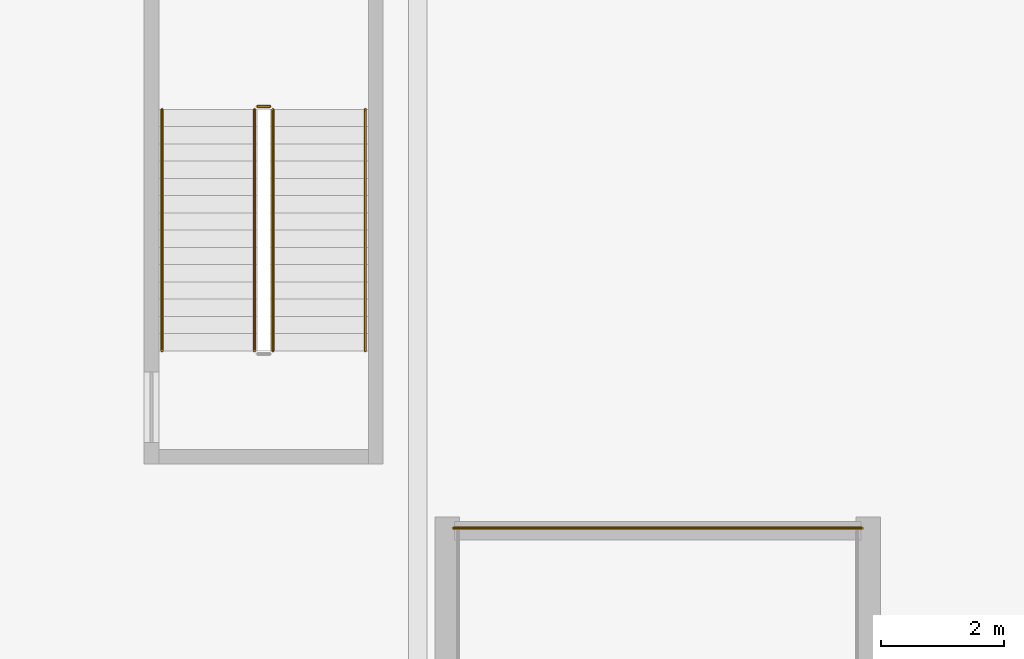
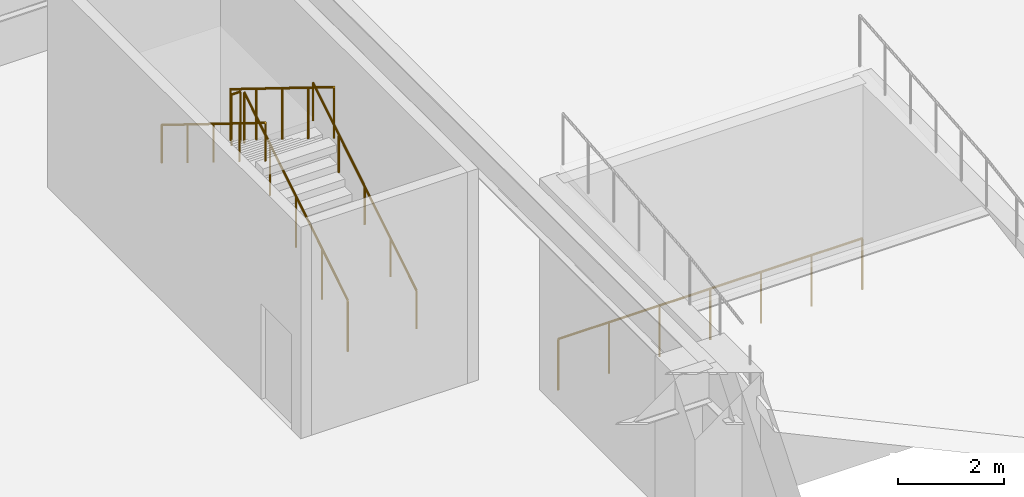
# One storey, part 12 of 13: 6 railings.
"""IFC4 building model written with IfcOpenShell, lengths in metres."""

from ifc_helpers import new_model, si_unit, direction, frame, origin, origin_2d, place, context, subcontext, project, spatial, circle, extrude, material, type_object, element, save


model = new_model("IFC4")

# Units and contexts
model_context = context("Model", 3, precision=1e-05, world=origin(), true_north=direction((0.0, 1.0)))
body_context = subcontext(model_context, "Body", "Model", "MODEL_VIEW")
ifc_project = project(units=[si_unit("LENGTHUNIT", "METRE"), si_unit("AREAUNIT", "SQUARE_METRE"), si_unit("VOLUMEUNIT", "CUBIC_METRE"), si_unit("PLANEANGLEUNIT", "RADIAN"), si_unit("MASSUNIT", "GRAM", prefix="KILO")], contexts=[model_context])

# Site, building, storey
site_placement = place(None, origin())
site = spatial("IfcSite", under=ifc_project, at=site_placement, CompositionType="ELEMENT")
building_placement = place(site_placement, origin())
building = spatial("IfcBuilding", under=site, at=building_placement, Name="Calvorn Quay Hotel", CompositionType="ELEMENT")
storey_placement = place(building_placement, frame((0.0, 0.0, -5.199951171875)))
storey = spatial("IfcBuildingStorey", under=building, at=storey_placement, Name="B1", CompositionType="ELEMENT", Elevation=-5.199951171875)

# Railings
ifc_material_1 = material(Name="Pale Anodised Aluminium and Laminated Glass", Category="aluminium")
railing_type_1 = type_object("IfcRailingType", Name="RLG-BALUSTRADE-1200", PredefinedType="BALUSTRADE", material=ifc_material_1)
railing_1_placement = place(storey_placement, frame((58.179931640625, 42.919921875, 0.0)))
element("IfcRailing", 1, at=railing_1_placement, inside=storey, type_object=railing_type_1, Name="Basement Vehicle Ramp Well Head Guard", PredefinedType="BALUSTRADE", context=body_context, shape_type="SweptSolid", body=[
    extrude(circle(Radius=0.02392578125, at=origin_2d()), frame((0.0, 0.0, 1.17578125), z_axis=(1.0, 0.0, 0.0), x_axis=(0.0, 1.0, 0.0)), (0.0, 0.0, 1.0), 6.64013671875),
    extrude(circle(Radius=0.02099609375, at=origin_2d()), origin(), (0.0, 0.0, 1.0), 1.15185546875),
    extrude(circle(Radius=0.02099609375, at=origin_2d()), frame((1.106689453125, 0.0, 0.0)), (0.0, 0.0, 1.0), 1.15185546875),
    extrude(circle(Radius=0.02099609375, at=origin_2d()), frame((2.21337890625, 0.0, 0.0)), (0.0, 0.0, 1.0), 1.15185546875),
    extrude(circle(Radius=0.02099609375, at=origin_2d()), frame((3.320068359375, 0.0, 0.0)), (0.0, 0.0, 1.0), 1.15185546875),
    extrude(circle(Radius=0.02099609375, at=origin_2d()), frame((4.4267578125, 0.0, 0.0)), (0.0, 0.0, 1.0), 1.15185546875),
    extrude(circle(Radius=0.02099609375, at=origin_2d()), frame((5.533447265625, 0.0, 0.0)), (0.0, 0.0, 1.0), 1.15185546875),
    extrude(circle(Radius=0.02099609375, at=origin_2d()), frame((6.64013671875, 0.0, 0.0)), (0.0, 0.0, 1.0), 1.15185546875),
])
ifc_material_2 = material(Name="Brushed Stainless Steel Handrail", Category="steel")
railing_type_2 = type_object("IfcRailingType", Name="RLG-HANDRAIL-900", PredefinedType="HANDRAIL", material=ifc_material_2)
railing_2_placement = place(storey_placement, frame((56.75, 45.800048828125, 0.17333984375)))
element("IfcRailing", 2, at=railing_2_placement, inside=storey, type_object=railing_type_2, Name="B1 ST-P1 stair handrail 1", PredefinedType="HANDRAIL", context=body_context, shape_type="SweptSolid", body=[
    extrude(circle(Radius=0.02392578125, at=origin_2d()), frame((0.0, 0.0, 0.8759765625), z_axis=(0.0, 0.850275303828, 0.526338206574), x_axis=(-1.0, 0.0, 0.0)), (0.0, 0.0, 1.0), 4.610107421875),
    extrude(circle(Radius=0.02099609375, at=origin_2d()), origin(), (0.0, 0.0, 1.0), 0.851806640625),
    extrude(circle(Radius=0.02099609375, at=origin_2d()), frame((0.0, 0.97998046875, 0.606689453125)), (0.0, 0.0, 1.0), 0.851806640625),
    extrude(circle(Radius=0.02099609375, at=origin_2d()), frame((0.0, 1.9599609375, 1.21337890625)), (0.0, 0.0, 1.0), 0.851806640625),
    extrude(circle(Radius=0.02099609375, at=origin_2d()), frame((0.0, 2.93994140625, 1.81982421875)), (0.0, 0.0, 1.0), 0.851806640625),
    extrude(circle(Radius=0.02099609375, at=origin_2d()), frame((0.0, 3.919921875, 2.426513671875)), (0.0, 0.0, 1.0), 0.851806640625),
])
railing_3_placement = place(storey_placement, frame((53.449951171875, 49.719970703125, 2.773193359375)))
element("IfcRailing", 3, at=railing_3_placement, inside=storey, type_object=railing_type_2, Name="B1 ST-P1 stair handrail 2", PredefinedType="HANDRAIL", context=body_context, shape_type="SweptSolid", body=[
    extrude(circle(Radius=0.02392578125, at=origin_2d()), frame((0.0, 0.0, 0.8759765625), z_axis=(0.0, -0.850251603719, 0.526376491091), x_axis=(1.0, 0.0, 0.0)), (0.0, 0.0, 1.0), 4.6103515625),
    extrude(circle(Radius=0.02099609375, at=origin_2d()), origin(), (0.0, 0.0, 1.0), 0.851806640625),
    extrude(circle(Radius=0.02099609375, at=origin_2d()), frame((0.0, -0.97998046875, 0.606689453125)), (0.0, 0.0, 1.0), 0.851806640625),
    extrude(circle(Radius=0.02099609375, at=origin_2d()), frame((0.0, -1.9599609375, 1.21337890625)), (0.0, 0.0, 1.0), 0.851806640625),
    extrude(circle(Radius=0.02099609375, at=origin_2d()), frame((0.0, -2.93994140625, 1.820068359375)), (0.0, 0.0, 1.0), 0.851806640625),
    extrude(circle(Radius=0.02099609375, at=origin_2d()), frame((0.0, -3.919921875, 2.4267578125)), (0.0, 0.0, 1.0), 0.851806640625),
])
ifc_material_3 = material(Name="Painted Galvanised Steel Balustrade", Category="steel")
railing_type_3 = type_object("IfcRailingType", Name="RLG-STAIR-GUARD-1120", PredefinedType="GUARDRAIL", material=ifc_material_3)
railing_4_placement = place(storey_placement, frame((55.25, 45.800048828125, 0.17333984375)))
element("IfcRailing", 4, at=railing_4_placement, inside=storey, type_object=railing_type_3, Name="B1 ST-P1 stair guard 1", PredefinedType="GUARDRAIL", context=body_context, shape_type="SweptSolid", body=[
    extrude(circle(Radius=0.02392578125, at=origin_2d()), frame((0.0, 0.0, 1.17578125), z_axis=(0.0, 0.850275303828, 0.526338206574), x_axis=(-1.0, 0.0, 0.0)), (0.0, 0.0, 1.0), 4.610107421875),
    extrude(circle(Radius=0.02099609375, at=origin_2d()), origin(), (0.0, 0.0, 1.0), 1.15185546875),
    extrude(circle(Radius=0.02099609375, at=origin_2d()), frame((0.0, 0.97998046875, 0.606689453125)), (0.0, 0.0, 1.0), 1.15185546875),
    extrude(circle(Radius=0.02099609375, at=origin_2d()), frame((0.0, 1.9599609375, 1.21337890625)), (0.0, 0.0, 1.0), 1.15185546875),
    extrude(circle(Radius=0.02099609375, at=origin_2d()), frame((0.0, 2.93994140625, 1.81982421875)), (0.0, 0.0, 1.0), 1.15185546875),
    extrude(circle(Radius=0.02099609375, at=origin_2d()), frame((0.0, 3.919921875, 2.426513671875)), (0.0, 0.0, 1.0), 1.15185546875),
])
railing_5_placement = place(storey_placement, frame((55.199951171875, 49.77001953125, 2.599853515625)))
element("IfcRailing", 5, at=railing_5_placement, inside=storey, type_object=railing_type_3, Name="B1 ST-P1 stair guard 2", PredefinedType="GUARDRAIL", context=body_context, shape_type="SweptSolid", body=[
    extrude(circle(Radius=0.02392578125, at=origin_2d()), frame((0.0, 0.0, 1.17578125), z_axis=(-1.0, 0.0, 0.0), x_axis=(0.0, -1.0, 0.0)), (0.0, 0.0, 1.0), 0.199951171875),
    extrude(circle(Radius=0.02099609375, at=origin_2d()), origin(), (0.0, 0.0, 1.0), 1.15185546875),
    extrude(circle(Radius=0.02099609375, at=origin_2d()), frame((-0.199951171875, 0.0, 0.0)), (0.0, 0.0, 1.0), 1.15185546875),
])
railing_6_placement = place(storey_placement, frame((54.949951171875, 49.719970703125, 2.773193359375)))
element("IfcRailing", 6, at=railing_6_placement, inside=storey, type_object=railing_type_3, Name="B1 ST-P1 stair guard 3", PredefinedType="GUARDRAIL", context=body_context, shape_type="SweptSolid", body=[
    extrude(circle(Radius=0.02392578125, at=origin_2d()), frame((0.0, 0.0, 1.17578125), z_axis=(0.0, -0.850251603719, 0.526376491091), x_axis=(1.0, 0.0, 0.0)), (0.0, 0.0, 1.0), 4.6103515625),
    extrude(circle(Radius=0.02099609375, at=origin_2d()), origin(), (0.0, 0.0, 1.0), 1.15185546875),
    extrude(circle(Radius=0.02099609375, at=origin_2d()), frame((0.0, -0.97998046875, 0.606689453125)), (0.0, 0.0, 1.0), 1.15185546875),
    extrude(circle(Radius=0.02099609375, at=origin_2d()), frame((0.0, -1.9599609375, 1.21337890625)), (0.0, 0.0, 1.0), 1.15185546875),
    extrude(circle(Radius=0.02099609375, at=origin_2d()), frame((0.0, -2.93994140625, 1.820068359375)), (0.0, 0.0, 1.0), 1.15185546875),
    extrude(circle(Radius=0.02099609375, at=origin_2d()), frame((0.0, -3.919921875, 2.4267578125)), (0.0, 0.0, 1.0), 1.15185546875),
])

save(model, "model.ifc")
